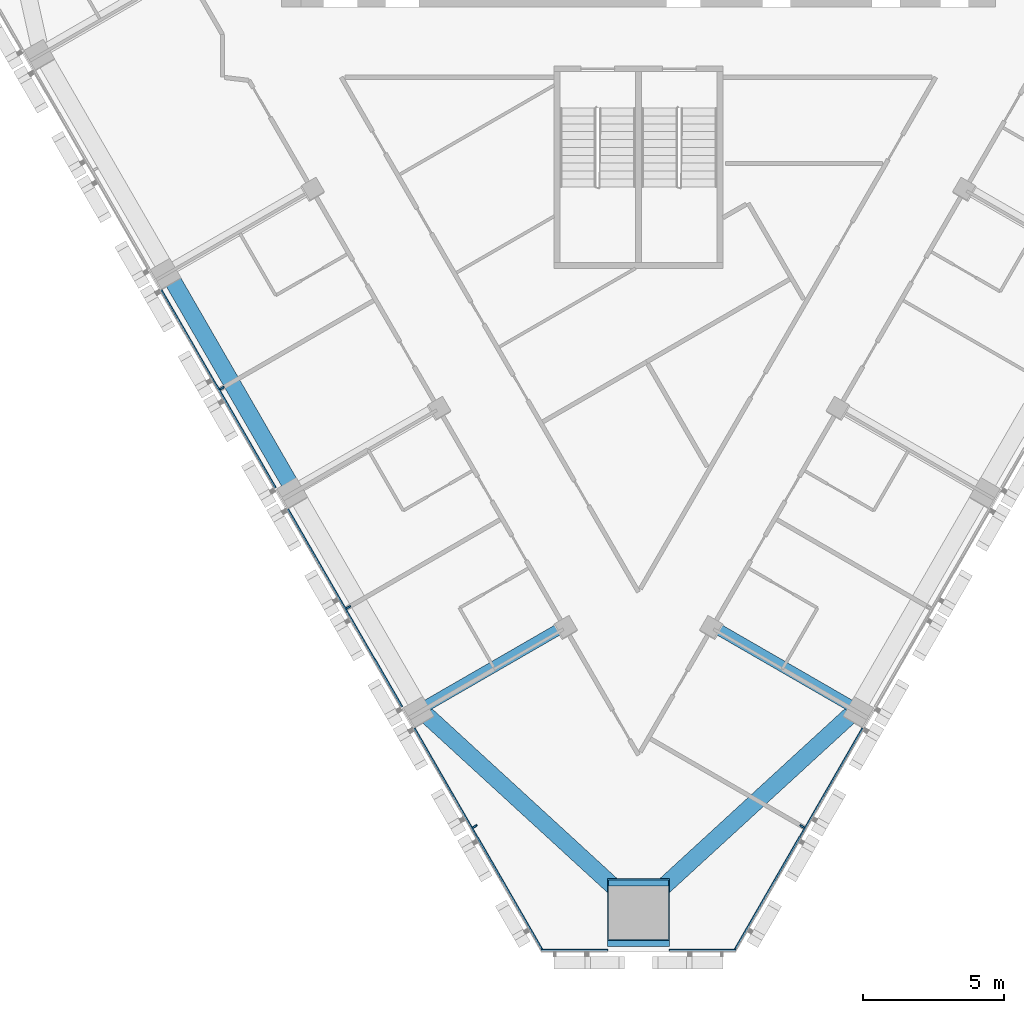
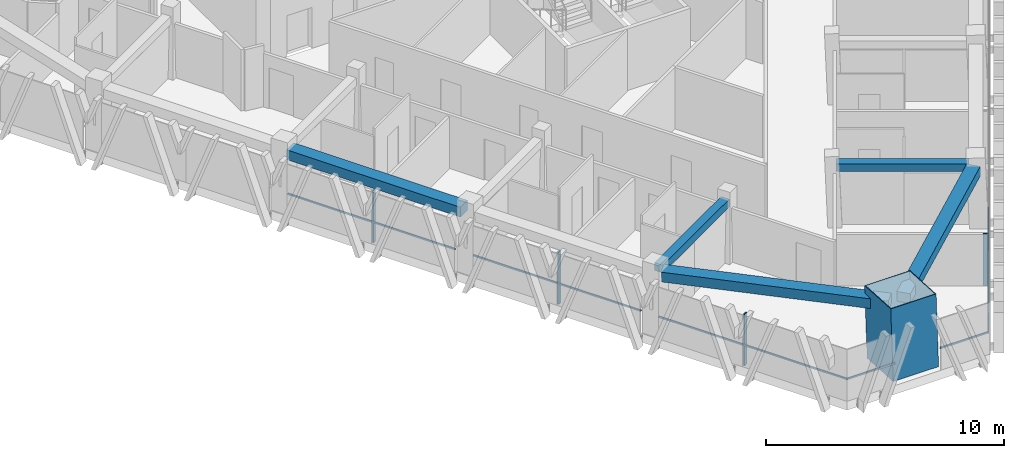
# One storey, part 2 of 15: 11 members, 5 beams, 3 elements without a shape of their own.
"""IFC4 building model written with IfcOpenShell, lengths in metres."""

from ifc_helpers import new_model, si_unit, direction, frame, origin, origin_2d, place, context, subcontext, project, spatial, rectangle, hollow_rectangle, extrude, material, layer, layer_set, material_profile, profile_set, type_object, element, aggregate, save


model = new_model("IFC4")

# Units and contexts
model_context = context("Model", 3, precision=1e-05, world=origin(), true_north=direction((0.0, 1.0)))
body_context = subcontext(model_context, "Body", "Model", "MODEL_VIEW")
ifc_project = project(units=[si_unit("LENGTHUNIT", "METRE"), si_unit("AREAUNIT", "SQUARE_METRE"), si_unit("VOLUMEUNIT", "CUBIC_METRE"), si_unit("PLANEANGLEUNIT", "RADIAN"), si_unit("MASSUNIT", "GRAM", prefix="KILO")], contexts=[model_context])

# Site, building, storey
site_placement = place(None, origin())
site = spatial("IfcSite", under=ifc_project, at=site_placement, CompositionType="ELEMENT")
building_placement = place(site_placement, origin())
building = spatial("IfcBuilding", under=site, at=building_placement, Name="Altiplano Prism Tower", CompositionType="ELEMENT")
storey_placement = place(building_placement, frame((0.0, 0.0, 171.0)))
storey = spatial("IfcBuildingStorey", under=building, at=storey_placement, Name="L44", CompositionType="ELEMENT", Elevation=171.0)

# Curtain wall, members
ifc_material_1 = material(Name="Aluminium and glass", Category="aluminium")
ifc_layer = layer(ifc_material_1, 0.280029296875)
ifc_layer_set = layer_set([ifc_layer], Name="Aluminium and glass")
curtain_wall_type = type_object("IfcCurtainWallType", Name="CW1 typical co-living unitised curtain wall", PredefinedType="NOTDEFINED", material=ifc_layer_set)
curtain_wall_1_placement = place(storey_placement, origin())
curtain_wall_1 = element("IfcCurtainWall", 1, at=curtain_wall_1_placement, inside=storey, type_object=curtain_wall_type, Name="CW1 curtain wall south-west face L44", PredefinedType="NOTDEFINED")
ifc_material_2 = material(Name="Aluminium", Category="aluminium")
ifc_material_profile_1 = material_profile(ifc_material_2, rectangle(XDim=0.179931640625, YDim=0.06494140625, at=origin_2d()), Name="CW1 mullion 65 x 180")
ifc_profile_set_1 = profile_set([ifc_material_profile_1], Name="Aluminium")
member_type_1 = type_object("IfcMemberType", Name="CW1 mullion 65 x 180", PredefinedType="MULLION", material=ifc_profile_set_1)
member_1_placement = place(storey_placement, frame((70.177490234375, 79.136962890625, 0.0), z_axis=(0.0, 0.0, 1.0), x_axis=(0.866025408191, 0.499999992367, 0.0)))
member_1 = element("IfcMember", 2, at=member_1_placement, type_object=member_type_1, Name="CW1 mullion", PredefinedType="MULLION", context=body_context, shape_type="SweptSolid", body=[
    extrude(rectangle(XDim=0.179931640625, YDim=0.06494140625, at=origin_2d()), origin(), (0.0, 0.0, 1.0), 2.64990234375),
])
member_2_placement = place(storey_placement, frame((74.677490234375, 71.342529296875, 0.0), z_axis=(0.0, 0.0, 1.0), x_axis=(0.866025408191, 0.499999992367, 0.0)))
member_2 = element("IfcMember", 3, at=member_2_placement, type_object=member_type_1, Name="CW1 mullion", PredefinedType="MULLION", context=body_context, shape_type="SweptSolid", body=[
    extrude(rectangle(XDim=0.179931640625, YDim=0.06494140625, at=origin_2d()), origin(), (0.0, 0.0, 1.0), 2.64990234375),
])
member_3_placement = place(storey_placement, frame((79.177490234375, 63.54833984375, 0.0), z_axis=(0.0, 0.0, 1.0), x_axis=(0.866025408191, 0.499999992367, 0.0)))
member_3 = element("IfcMember", 4, at=member_3_placement, type_object=member_type_1, Name="CW1 mullion", PredefinedType="MULLION", context=body_context, shape_type="SweptSolid", body=[
    extrude(rectangle(XDim=0.179931640625, YDim=0.06494140625, at=origin_2d()), origin(), (0.0, 0.0, 1.0), 2.64990234375),
])

# Curtain wall, member
curtain_wall_2_placement = place(storey_placement, origin())
curtain_wall_2 = element("IfcCurtainWall", 5, at=curtain_wall_2_placement, inside=storey, type_object=curtain_wall_type, Name="CW1 curtain wall south-east face L44", PredefinedType="NOTDEFINED")
member_4_placement = place(storey_placement, frame((90.822509765625, 63.54833984375, 0.0), z_axis=(0.0, 0.0, 1.0), x_axis=(-0.866025408191, 0.499999992367, 0.0)))
member_4 = element("IfcMember", 6, at=member_4_placement, type_object=member_type_1, Name="CW1 mullion", PredefinedType="MULLION", context=body_context, shape_type="SweptSolid", body=[
    extrude(rectangle(XDim=0.179931640625, YDim=0.06494140625, at=origin_2d()), origin(), (0.0, 0.0, 1.0), 2.64990234375),
])

# Member
ifc_material_profile_2 = material_profile(ifc_material_2, rectangle(XDim=0.06005859375, YDim=0.080078125, at=origin_2d()), Name="CW1 transom 80 x 60")
ifc_profile_set_2 = profile_set([ifc_material_profile_2], Name="Aluminium")
member_type_2 = type_object("IfcMemberType", Name="CW1 transom 80 x 60", PredefinedType="USERDEFINED", material=ifc_profile_set_2)
member_5_placement = place(storey_placement, frame((68.02392578125, 82.626953125, 1.10009765625), z_axis=(0.50001308349, -0.866017849896, 0.0), x_axis=(0.866017849896, 0.50001308349, 0.0)))
member_5 = element("IfcMember", 7, at=member_5_placement, type_object=member_type_2, Name="CW1 transom", ObjectType="TRANSOM", PredefinedType="USERDEFINED", context=body_context, shape_type="SweptSolid", body=[
    extrude(rectangle(XDim=0.06005859375, YDim=0.080078125, at=origin_2d()), origin(), (0.0, 0.0, 1.0), 8.119873046875),
])

member_6_placement = place(storey_placement, frame((72.52392578125, 74.832763671875, 1.10009765625), z_axis=(0.50001308349, -0.866017849896, 0.0), x_axis=(0.866017849896, 0.50001308349, 0.0)))
member_6 = element("IfcMember", 8, at=member_6_placement, type_object=member_type_2, Name="CW1 transom", ObjectType="TRANSOM", PredefinedType="USERDEFINED", context=body_context, shape_type="SweptSolid", body=[
    extrude(rectangle(XDim=0.06005859375, YDim=0.080078125, at=origin_2d()), origin(), (0.0, 0.0, 1.0), 8.119873046875),
])

member_7_placement = place(storey_placement, frame((77.02392578125, 67.03857421875, 1.10009765625), z_axis=(0.500006472356, -0.866021666936, 0.0), x_axis=(0.866021666936, 0.500006472356, 0.0)))
member_7 = element("IfcMember", 9, at=member_7_placement, type_object=member_type_2, Name="CW1 transom", ObjectType="TRANSOM", PredefinedType="USERDEFINED", context=body_context, shape_type="SweptSolid", body=[
    extrude(rectangle(XDim=0.06005859375, YDim=0.080078125, at=origin_2d()), origin(), (0.0, 0.0, 1.0), 9.15234375),
])

aggregate(curtain_wall_1, [member_1, member_5, member_2, member_6, member_3, member_7])

# Curtain wall, members
curtain_wall_3_placement = place(storey_placement, origin())
curtain_wall_3 = element("IfcCurtainWall", 10, at=curtain_wall_3_placement, inside=storey, type_object=curtain_wall_type, Name="CW1 curtain wall south chamfer L44", PredefinedType="NOTDEFINED")
member_8_placement = place(storey_placement, frame((81.539306640625, 59.147705078125, 1.10009765625), z_axis=(1.0, 0.0, 0.0), x_axis=(0.0, 1.0, 0.0)))
member_8 = element("IfcMember", 11, at=member_8_placement, type_object=member_type_2, Name="CW1 transom", ObjectType="TRANSOM", PredefinedType="USERDEFINED", context=body_context, shape_type="SweptSolid", body=[
    extrude(rectangle(XDim=0.06005859375, YDim=0.080078125, at=origin_2d()), origin(), (0.0, 0.0, 1.0), 2.360595703125),
])
member_9_placement = place(storey_placement, frame((86.10009765625, 59.147705078125, 1.10009765625), z_axis=(1.0, 0.0, 0.0), x_axis=(0.0, 1.0, 0.0)))
member_9 = element("IfcMember", 12, at=member_9_placement, type_object=member_type_2, Name="CW1 transom", ObjectType="TRANSOM", PredefinedType="USERDEFINED", context=body_context, shape_type="SweptSolid", body=[
    extrude(rectangle(XDim=0.06005859375, YDim=0.080078125, at=origin_2d()), origin(), (0.0, 0.0, 1.0), 2.360595703125),
])
aggregate(curtain_wall_3, [member_8, member_9])

# Member
member_10_placement = place(storey_placement, frame((88.39990234375, 59.112548828125, 1.10009765625), z_axis=(0.500006472356, 0.866021666936, 0.0), x_axis=(-0.866021666936, 0.500006472356, 0.0)))
member_10 = element("IfcMember", 13, at=member_10_placement, type_object=member_type_2, Name="CW1 transom", ObjectType="TRANSOM", PredefinedType="USERDEFINED", context=body_context, shape_type="SweptSolid", body=[
    extrude(rectangle(XDim=0.06005859375, YDim=0.080078125, at=origin_2d()), origin(), (0.0, 0.0, 1.0), 9.15234375),
])

aggregate(curtain_wall_2, [member_4, member_10])

# Beams
ifc_material_3 = material(Name="Concrete C60/75", Category="concrete")
ifc_material_profile_3 = material_profile(ifc_material_3, rectangle(XDim=0.60009765625, YDim=0.5, at=origin_2d()), Name="Edge beam 600x500")
ifc_profile_set_3 = profile_set([ifc_material_profile_3], Name="Concrete C60/75")
beam_type_1 = type_object("IfcBeamType", Name="Edge beam 600x500", PredefinedType="SPANDREL", material=ifc_profile_set_3)
beam_placement = place(storey_placement, frame((68.372802734375, 83.06005859375, 2.89990234375), z_axis=(0.499993714791, -0.866029032521, 0.0), x_axis=(0.866029032521, 0.499993714791, 0.0)))
element("IfcBeam", 14, at=beam_placement, inside=storey, type_object=beam_type_1, Name="Edge beam P12-P13 L45", PredefinedType="SPANDREL", context=body_context, shape_type="SweptSolid", body=[
    extrude(rectangle(XDim=0.60009765625, YDim=0.5, at=origin_2d()), origin(), (0.0, 0.0, 1.0), 8.43994140625),
])
for number, where, z_axis, x_axis, name in (
    (15, (77.453369140625, 67.51171875, 2.89990234375), (0.736871522928, -0.676032808891, 0.0), (0.676032808891, 0.736871522928, 0.0), "Edge beam P14-M1 L45"),
    (16, (85.33154296875, 60.892333984375, 2.89990234375), (0.736871522928, 0.676032808891, 0.0), (-0.676032808891, 0.736871522928, 0.0), "Edge beam M1-P21 L45"),
):
    element("IfcBeam", number, at=place(storey_placement, frame(where, z_axis=z_axis, x_axis=x_axis)), inside=storey, type_object=beam_type_1, Name=name, PredefinedType="SPANDREL", context=body_context, shape_type="SweptSolid", body=[
        extrude(rectangle(XDim=0.60009765625, YDim=0.5, at=origin_2d()), origin(), (0.0, 0.0, 1.0), 9.79150390625),
    ])

# Member
ifc_material_4 = material(Name="Steel S460", Category="steel")
ifc_material_profile_4 = material_profile(ifc_material_4, hollow_rectangle(XDim=2.199951171875, YDim=2.199951171875, WallThickness=0.0400390625, at=origin_2d()), Name="Mega column tube 2200")
ifc_profile_set_4 = profile_set([ifc_material_profile_4], Name="Steel S460")
member_type_3 = type_object("IfcMemberType", Name="Mega column tube 2200", PredefinedType="POST", material=ifc_profile_set_4)
member_11_placement = place(storey_placement, frame((85.0, 60.377685546875, 0.0), z_axis=(0.0, 0.058356907999, 0.998295783467), x_axis=(-1.0, 0.0, 0.0)))
element("IfcMember", 17, at=member_11_placement, inside=storey, type_object=member_type_3, Name="Mega column tube M1 L44", PredefinedType="POST", context=body_context, shape_type="SweptSolid", body=[
    extrude(hollow_rectangle(XDim=2.199951171875, YDim=2.199951171875, WallThickness=0.0400390625, at=origin_2d()), origin(), (0.0, 0.0, 1.0), 3.606201171875),
])

# Beams
ifc_material_profile_5 = material_profile(ifc_material_3, rectangle(XDim=0.39990234375, YDim=0.39990234375, at=origin_2d()), Name="Tie beam 400x400")
ifc_profile_set_5 = profile_set([ifc_material_profile_5], Name="Concrete C60/75")
beam_type_2 = type_object("IfcBeamType", Name="Tie beam 400x400", PredefinedType="BEAM", material=ifc_profile_set_5)
for number, where, z_axis, x_axis, name in (
    (18, (82.31640625, 70.649169921875, 2.949951171875), (-0.866011758658, -0.500023633308, 0.0), (0.500023633308, -0.866011758658, 0.0), "Tie beam I14 L45"),
    (19, (87.68359375, 70.649169921875, 2.949951171875), (0.866011758658, -0.500023633308, 0.0), (0.500023633308, 0.866011758658, 0.0), "Tie beam I21 L45"),
):
    element("IfcBeam", number, at=place(storey_placement, frame(where, z_axis=z_axis, x_axis=x_axis)), inside=storey, type_object=beam_type_2, Name=name, PredefinedType="BEAM", context=body_context, shape_type="SweptSolid", body=[
        extrude(rectangle(XDim=0.39990234375, YDim=0.39990234375, at=origin_2d()), origin(), (0.0, 0.0, 1.0), 5.590087890625),
    ])

save(model, "model.ifc")
